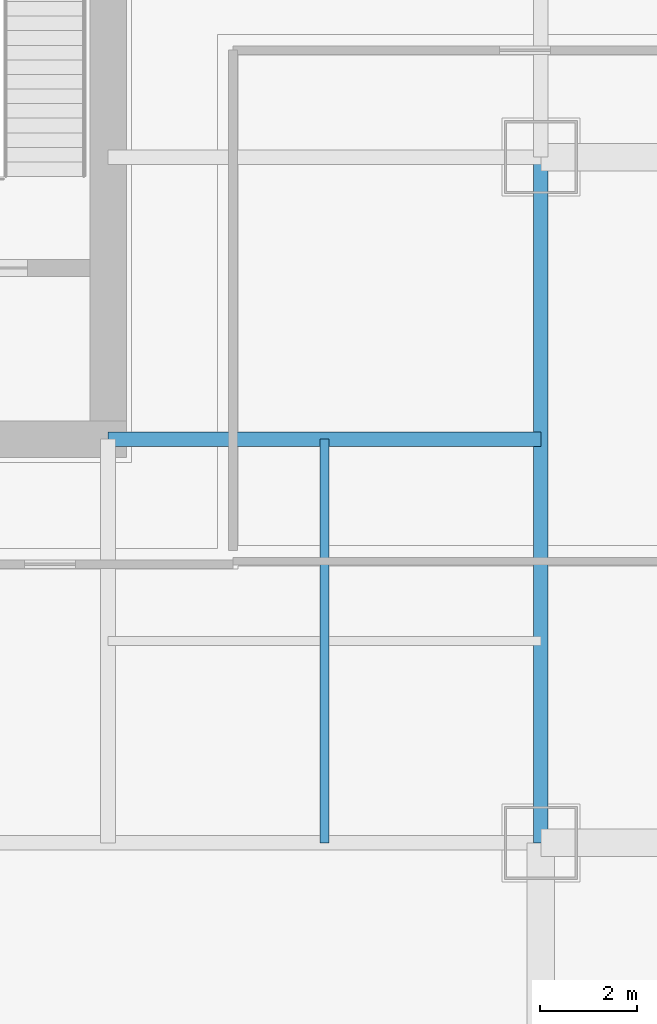
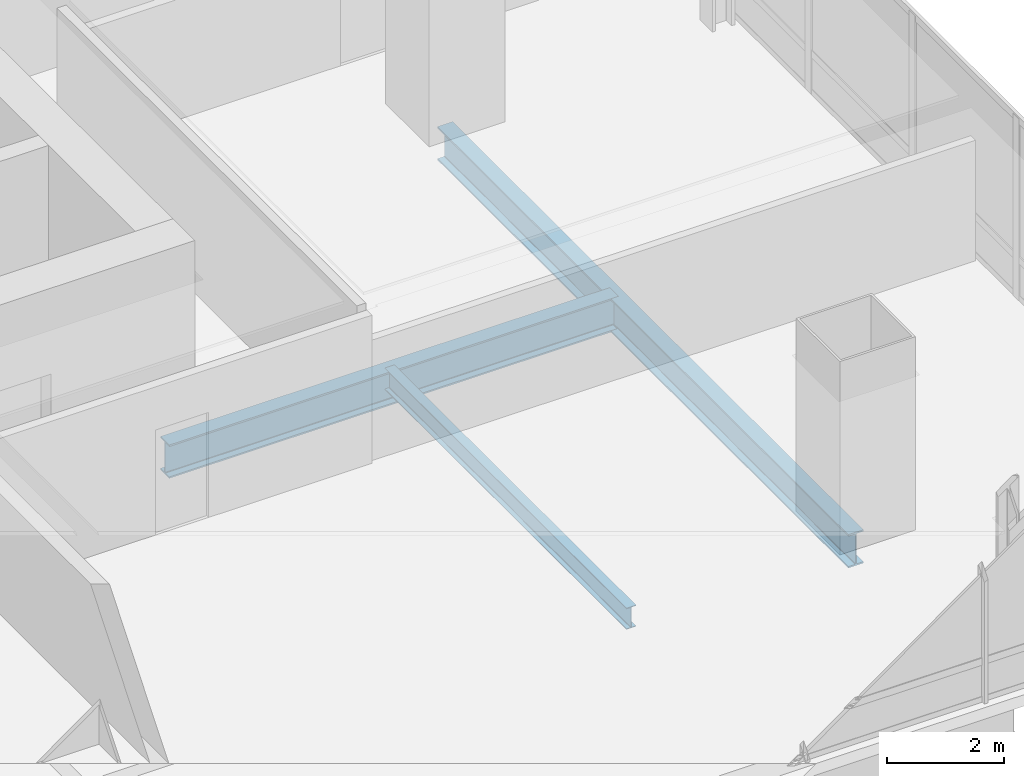
# One storey, part 13 of 34: 3 beams.
"""IFC4 building model written with IfcOpenShell, lengths in metres."""

from ifc_helpers import new_model, si_unit, direction, frame, origin, origin_2d, place, context, subcontext, project, spatial, i_section, extrude, material, material_profile, profile_set, type_object, element, save


model = new_model("IFC4")

# Units and contexts
model_context = context("Model", 3, precision=1e-05, world=origin(), true_north=direction((0.0, 1.0)))
body_context = subcontext(model_context, "Body", "Model", "MODEL_VIEW")
ifc_project = project(units=[si_unit("LENGTHUNIT", "METRE"), si_unit("AREAUNIT", "SQUARE_METRE"), si_unit("VOLUMEUNIT", "CUBIC_METRE"), si_unit("PLANEANGLEUNIT", "RADIAN"), si_unit("MASSUNIT", "GRAM", prefix="KILO")], contexts=[model_context])

# Site, building, storey
site_placement = place(None, origin())
site = spatial("IfcSite", under=ifc_project, at=site_placement, CompositionType="ELEMENT")
building_placement = place(site_placement, origin())
building = spatial("IfcBuilding", under=site, at=building_placement, Name="Punatoya Terracotta Tower", CompositionType="ELEMENT")
storey_placement = place(building_placement, frame((0.0, 0.0, 80.85009765625)))
storey = spatial("IfcBuildingStorey", under=building, at=storey_placement, Name="L18", CompositionType="ELEMENT", Elevation=80.85009765625)

# Beams
ifc_material = material(Name="Steel S355", Category="steel")
ifc_material_profile_1 = material_profile(ifc_material, i_section(OverallWidth=0.300048828125, OverallDepth=0.699951171875, WebThickness=0.01708984375, FlangeThickness=0.031982421875, FilletRadius=0.01806640625, at=origin_2d()))
ifc_profile_set_1 = profile_set([ifc_material_profile_1], Name="Steel S355")
beam_type_1 = type_object("IfcBeamType", Name="BM-PRI-700", PredefinedType="BEAM", material=ifc_profile_set_1)
beam_1_placement = place(storey_placement, frame((19.10009765625, -17.5, -0.590087890625), z_axis=(0.0, 1.0, 0.0), x_axis=(-1.0, 0.0, 0.0)))
element("IfcBeam", 1, at=beam_1_placement, inside=storey, type_object=beam_type_1, Name="BM-L18-RG-E1", PredefinedType="BEAM", context=body_context, shape_type="SweptSolid", body=[
    extrude(i_section(OverallWidth=0.300048828125, OverallDepth=0.699951171875, WebThickness=0.01708984375, FlangeThickness=0.031982421875, FilletRadius=0.01806640625, at=origin_2d()), origin(), (0.0, 0.0, 1.0), 14.10009765625),
])
beam_2_placement = place(storey_placement, frame((10.199951171875, -9.199951171875, -0.590087890625), z_axis=(1.0, 0.0, 0.0), x_axis=(0.0, 1.0, 0.0)))
element("IfcBeam", 2, at=beam_2_placement, inside=storey, type_object=beam_type_1, Name="BM-L18-PR-ES", PredefinedType="BEAM", context=body_context, shape_type="SweptSolid", body=[
    extrude(i_section(OverallWidth=0.300048828125, OverallDepth=0.699951171875, WebThickness=0.01708984375, FlangeThickness=0.031982421875, FilletRadius=0.01806640625, at=origin_2d()), origin(), (0.0, 0.0, 1.0), 8.900146484375),
])
ifc_material_profile_2 = material_profile(ifc_material, i_section(OverallWidth=0.18994140625, OverallDepth=0.449951171875, WebThickness=0.009521484375, FlangeThickness=0.0146484375, FilletRadius=0.01806640625, at=origin_2d()))
ifc_profile_set_2 = profile_set([ifc_material_profile_2], Name="Steel S355")
beam_type_2 = type_object("IfcBeamType", Name="BM-SEC-450", PredefinedType="JOIST", material=ifc_profile_set_2)
beam_3_placement = place(storey_placement, frame((14.64990234375, -17.5, -0.465087890625), z_axis=(0.0, 1.0, 0.0), x_axis=(-1.0, 0.0, 0.0)))
element("IfcBeam", 3, at=beam_3_placement, inside=storey, type_object=beam_type_2, Name="BM-L18-SJE-1", PredefinedType="JOIST", context=body_context, shape_type="SweptSolid", body=[
    extrude(i_section(OverallWidth=0.18994140625, OverallDepth=0.449951171875, WebThickness=0.009521484375, FlangeThickness=0.0146484375, FilletRadius=0.01806640625, at=origin_2d()), origin(), (0.0, 0.0, 1.0), 8.300048828125),
])

save(model, "model.ifc")
